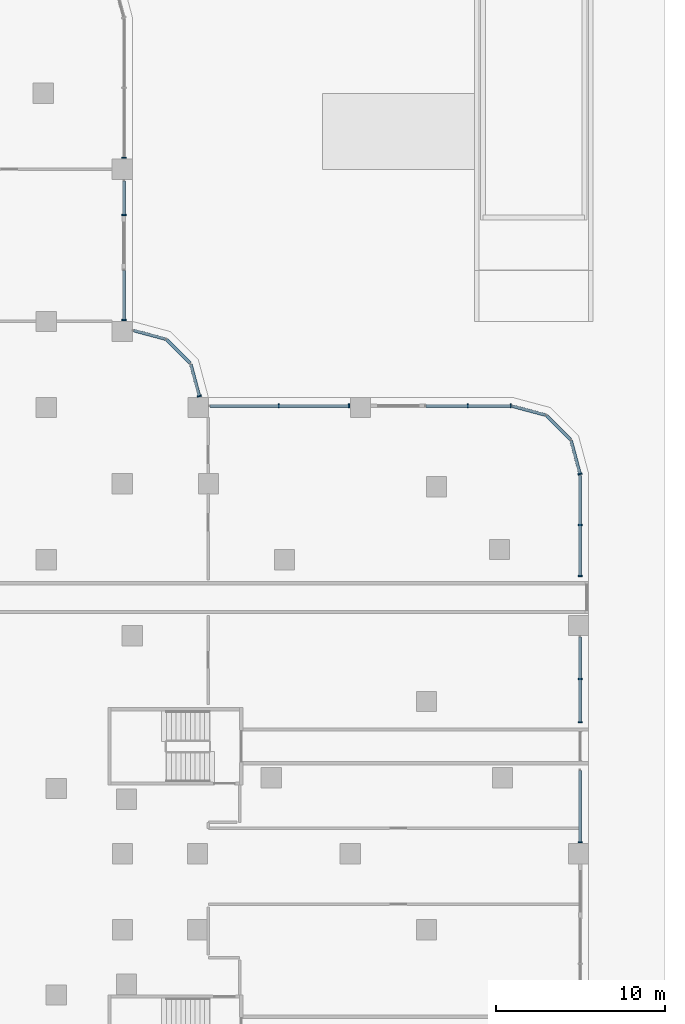
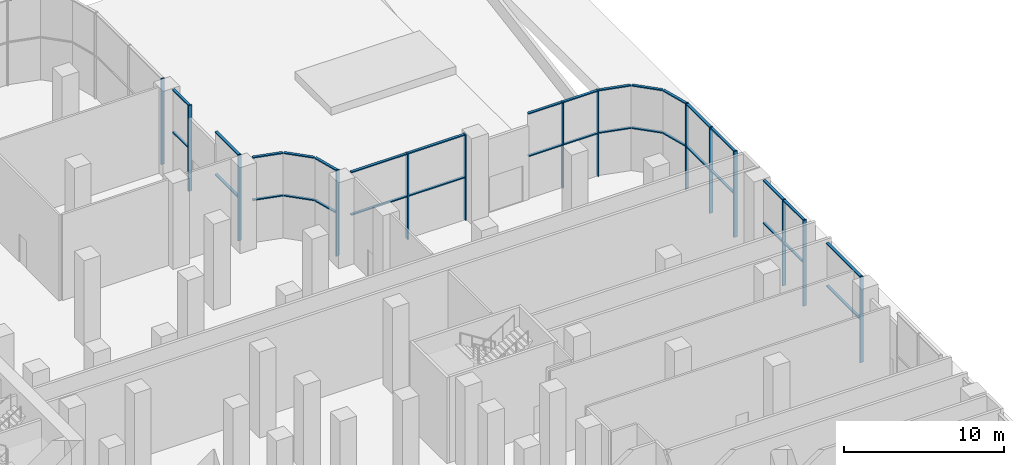
# One storey, part 9 of 34: 40 members, 9 elements without a shape of their own.
"""IFC4 building model written with IfcOpenShell, lengths in metres."""

import ifcopenshell
import ifcopenshell.guid

model = None  # the IFC model being written
_history = None  # IfcOwnerHistory: only IFC2X3 demands one
_inside = {}  # id of a spatial element -> (the spatial element, [elements in it])
_under = {}  # id of a project, library or spatial element -> (it, [spatial elements below it])
_declared = {}  # id of a project -> (the project, [libraries it declares])
_typed = {}  # id of a type object -> (the type object, [elements of that type])
_made_of = {}  # id of a material, layer set ... -> (it, [elements and type objects made of it])


def new_model(schema):
    """Start an empty IFC model of exactly this schema.

    Asked for "IFC4X3", IfcOpenShell would pick the latest addendum, in which some entities
    have other attributes; the version numbers below select the first issue.
    IFC2X3 requires an IfcOwnerHistory on every rooted entity: one is made here for all.
    """
    global model, _history
    if schema == "IFC4X3":
        model = ifcopenshell.file(schema_version=(4, 3, 0, 0))
    else:
        model = ifcopenshell.file(schema=schema)
    _inside.clear()
    _under.clear()
    _declared.clear()
    _typed.clear()
    _made_of.clear()
    _history = None
    if model.schema == "IFC2X3":
        org = make("IfcOrganization", Name="unknown")
        user = make(
            "IfcPersonAndOrganization",
            ThePerson=make("IfcPerson", FamilyName="unknown"),
            TheOrganization=org,
        )
        app = make(
            "IfcApplication",
            ApplicationDeveloper=org,
            Version="unknown",
            ApplicationFullName="unknown",
            ApplicationIdentifier="unknown",
        )
        _history = make(
            "IfcOwnerHistory",
            OwningUser=user,
            OwningApplication=app,
            ChangeAction="ADDED",
            CreationDate=0,
        )
    return model


def make(cls, **values):
    """One entity of the class cls with the attributes given. An attribute that is None is left unset."""
    return model.create_entity(
        cls, **{name: value for name, value in values.items() if value is not None}
    )


def rooted(cls, **values):
    """An entity with a GlobalId (a new one), such as an element, a storey or a relation."""
    return make(cls, GlobalId=ifcopenshell.guid.new(), OwnerHistory=_history, **values)


def si_unit(unit_type, name, prefix=None):
    """IfcSIUnit, for example si_unit("LENGTHUNIT", "METRE", prefix="MILLI")."""
    return make("IfcSIUnit", UnitType=unit_type, Prefix=prefix, Name=name)


def assignment(units):
    """IfcUnitAssignment: the units of a project."""
    return None if units is None else make("IfcUnitAssignment", Units=units)


def point(xyz):
    """IfcCartesianPoint."""
    return None if xyz is None else make("IfcCartesianPoint", Coordinates=xyz)


def direction(xyz):
    """IfcDirection."""
    return None if xyz is None else make("IfcDirection", DirectionRatios=xyz)


def frame(location, z_axis=None, x_axis=None):
    """IfcAxis2Placement3D, a coordinate frame: its origin and axes. An axis left out is left unset."""
    return make(
        "IfcAxis2Placement3D",
        Location=point(location),
        Axis=direction(z_axis),
        RefDirection=direction(x_axis),
    )


def origin():
    """The frame at (0, 0, 0) with its axes left unset."""
    return frame((0.0, 0.0, 0.0))


def place(relative_to, where):
    """IfcLocalPlacement: puts the frame where relative to a parent placement (None: the world)."""
    return make(
        "IfcLocalPlacement", PlacementRelTo=relative_to, RelativePlacement=where
    )


def context(
    kind, dimensions, precision=None, world=None, true_north=None, identifier=None
):
    """IfcGeometricRepresentationContext, for example the 3D "Model" context."""
    return make(
        "IfcGeometricRepresentationContext",
        ContextIdentifier=identifier,
        ContextType=kind,
        CoordinateSpaceDimension=dimensions,
        Precision=precision,
        WorldCoordinateSystem=world,
        TrueNorth=true_north,
    )


def subcontext(parent, identifier, kind, view, scale=None):
    """IfcGeometricRepresentationSubContext, for example "Body" below "Model"."""
    return make(
        "IfcGeometricRepresentationSubContext",
        ContextIdentifier=identifier,
        ContextType=kind,
        ParentContext=parent,
        TargetScale=scale,
        TargetView=view,
    )


def project(units=None, contexts=None):
    """IfcProject with its units and contexts."""
    return rooted(
        "IfcProject",
        Name="project",
        RepresentationContexts=contexts,
        UnitsInContext=assignment(units),
    )


def spatial(cls, under=None, at=None, **own):
    """A site, building, storey or space (cls), placed at a placement, below another one or the project."""
    s = rooted(cls, ObjectPlacement=at, **own)
    if under is not None:
        _under.setdefault(under.id(), (under, []))[1].append(s)
    return s


def polyline(points):
    """IfcPolyline through the points."""
    return make("IfcPolyline", Points=[point(p) for p in points])


def outline(outer, holes=None, kind="AREA"):
    """IfcArbitraryClosedProfileDef: a profile drawn as a closed curve; with holes, ...WithVoids."""
    if holes is None:
        return make("IfcArbitraryClosedProfileDef", ProfileType=kind, OuterCurve=outer)
    return make(
        "IfcArbitraryProfileDefWithVoids",
        ProfileType=kind,
        OuterCurve=outer,
        InnerCurves=holes,
    )


def extrude(swept, where, along, depth):
    """IfcExtrudedAreaSolid: the profile swept, set in the frame where, extruded along a direction by depth."""
    return make(
        "IfcExtrudedAreaSolid",
        SweptArea=swept,
        Position=where,
        ExtrudedDirection=direction(along),
        Depth=depth,
    )


def shape(context_of_items, identifier, shape_type, items):
    """IfcShapeRepresentation: the items that make up one representation, for example the "Body"."""
    return make(
        "IfcShapeRepresentation",
        ContextOfItems=context_of_items,
        RepresentationIdentifier=identifier,
        RepresentationType=shape_type,
        Items=items,
    )


def source(mapping_origin, context_of_items, identifier, shape_type, items):
    """IfcRepresentationMap: a shape defined once, which mapped items show again and again."""
    return make(
        "IfcRepresentationMap",
        MappingOrigin=mapping_origin,
        MappedRepresentation=shape(context_of_items, identifier, shape_type, items),
    )


def transform(
    local_origin,
    x_axis=None,
    y_axis=None,
    z_axis=None,
    scale=None,
    scale2=None,
    scale3=None,
    uniform=True,
):
    """IfcCartesianTransformationOperator3D, or its non-uniform kind. x_axis, y_axis, z_axis: its Axis1, 2, 3."""
    if uniform:
        return make(
            "IfcCartesianTransformationOperator3D",
            Axis1=direction(x_axis),
            Axis2=direction(y_axis),
            LocalOrigin=point(local_origin),
            Scale=scale,
            Axis3=direction(z_axis),
        )
    return make(
        "IfcCartesianTransformationOperator3DnonUniform",
        Axis1=direction(x_axis),
        Axis2=direction(y_axis),
        LocalOrigin=point(local_origin),
        Scale=scale,
        Axis3=direction(z_axis),
        Scale2=scale2,
        Scale3=scale3,
    )


def mapped(mapping_source, mapping_target):
    """IfcMappedItem: shows the shape of a source again, moved by a transform."""
    return make(
        "IfcMappedItem", MappingSource=mapping_source, MappingTarget=mapping_target
    )


def material(Name=None, Category=None):
    """IfcMaterial."""
    return make("IfcMaterial", Name=Name, Category=Category)


def made_of(thing, what):
    """Note that an element or type object is made of a material, layer set ...; save() writes the relation."""
    if what is not None:
        _made_of.setdefault(what.id(), (what, []))[1].append(thing)
    return thing


def type_object(cls, material=None, **own):
    """A type object (cls), such as IfcWallType, which elements share."""
    return made_of(rooted(cls, **own), material)


def element(
    cls,
    number,
    at=None,
    inside=None,
    cuts=None,
    type_object=None,
    material=None,
    context=None,
    identifier="Body",
    shape_type=None,
    held_by="IfcProductDefinitionShape",
    body=None,
    shapes=None,
    **own,
):
    """One element of the class cls, such as IfcWall. Its Tag is "e" and its number.

    at: its placement. inside: the storey or other place that contains it. cuts: it is an
    opening in that element (IfcRelVoidsElement). A single representation is given by context,
    identifier, shape_type and body (its items); several are given by shapes. held_by: the class
    of the entity that holds the representations. save() writes the other relations.
    """
    e = rooted(cls, Tag="e%d" % number, ObjectPlacement=at, **own)
    if body is not None:
        shapes = [shape(context, identifier, shape_type, body)]
    if shapes is not None:
        e.Representation = make(held_by, Representations=shapes)
    if inside is not None:
        _inside.setdefault(inside.id(), (inside, []))[1].append(e)
    if cuts is not None:
        rooted(
            "IfcRelVoidsElement", RelatingBuildingElement=cuts, RelatedOpeningElement=e
        )
    if type_object is not None:
        _typed.setdefault(type_object.id(), (type_object, []))[1].append(e)
    return made_of(e, material)


def aggregate(whole, parts):
    """IfcRelAggregates: a whole, such as a stair, and the parts it consists of."""
    return rooted("IfcRelAggregates", RelatingObject=whole, RelatedObjects=parts)


def save(model, path):
    """Write the relations noted so far, then the file.

    IfcRelAggregates (storeys below a building ...), IfcRelContainedInSpatialStructure (elements
    in a storey), IfcRelDefinesByType, IfcRelAssociatesMaterial and IfcRelDeclares: one each for
    every whole, place, type object, material and project.
    """
    for whole, parts in _under.values():
        aggregate(whole, parts)
    for where, things in _inside.values():
        rooted(
            "IfcRelContainedInSpatialStructure",
            RelatedElements=things,
            RelatingStructure=where,
        )
    for kind, things in _typed.values():
        rooted("IfcRelDefinesByType", RelatedObjects=things, RelatingType=kind)
    for what, things in _made_of.values():
        rooted("IfcRelAssociatesMaterial", RelatedObjects=things, RelatingMaterial=what)
    for by, libraries in _declared.values():
        rooted("IfcRelDeclares", RelatingContext=by, RelatedDefinitions=libraries)
    model.write(path)


model = new_model("IFC4")

# Units and contexts
model_context = context("Model", 3, precision=1e-05, world=origin(), true_north=direction((0.0, 1.0)))
body_context = subcontext(model_context, "Body", "Model", "MODEL_VIEW")
ifc_project = project(units=[si_unit("LENGTHUNIT", "METRE"), si_unit("AREAUNIT", "SQUARE_METRE"), si_unit("VOLUMEUNIT", "CUBIC_METRE"), si_unit("PLANEANGLEUNIT", "RADIAN"), si_unit("MASSUNIT", "GRAM", prefix="KILO")], contexts=[model_context])

# Site, building, storey
site_placement = place(None, origin())
site = spatial("IfcSite", under=ifc_project, at=site_placement, CompositionType="ELEMENT")
building_placement = place(site_placement, origin())
building = spatial("IfcBuilding", under=site, at=building_placement, Name="Zarbagh Exchange Tower", CompositionType="ELEMENT")
storey_placement = place(building_placement, origin())
storey = spatial("IfcBuildingStorey", under=building, at=storey_placement, Name="L00", CompositionType="ELEMENT", Elevation=0.0)

# Curtain wall, members
ifc_material_1 = material(Name="Anodised aluminium frame and glazing", Category="aluminium")
curtain_wall_type = type_object("IfcCurtainWallType", Name="CWC Podium garden-wall glazing", PredefinedType="NOTDEFINED", material=ifc_material_1)
curtain_wall_1_placement = place(storey_placement, origin())
curtain_wall_1 = element("IfcCurtainWall", 1, at=curtain_wall_1_placement, inside=storey, type_object=curtain_wall_type, Name="CWC13 curtain wall", PredefinedType="NOTDEFINED")
ifc_material_2 = material(Name="Anodised aluminium frame", Category="aluminium")
member_type_1 = type_object("IfcMemberType", Name="MUC Mullion, anodised aluminium frame", PredefinedType="MULLION", material=ifc_material_2)
shared_shape_1 = source(origin(), body_context, "Body", "SweptSolid", [
    extrude(outline(polyline([(0.0, -0.125), (0.080078125, -0.125), (0.080078125, 0.125), (0.0, 0.125), (0.0, -0.125)])), origin(), (0.0, 0.0, 1.0), 6.550048828125),
])
placement = place(storey_placement, origin())
member_1 = element("IfcMember", 2, at=placement, type_object=member_type_1, Name="CWC13 mullion 4.1", PredefinedType="MULLION", context=body_context, shape_type="MappedRepresentation", body=[
    mapped(shared_shape_1, transform((55.75, 2.89013671875, 0.0), x_axis=(0.0, 1.0, 0.0), y_axis=(-1.0, 0.0, 0.0), z_axis=(0.0, 0.0, 1.0))),
])
member_2 = element("IfcMember", 3, at=placement, type_object=member_type_1, Name="CWC13 mullion 5.1", PredefinedType="MULLION", context=body_context, shape_type="MappedRepresentation", body=[
    mapped(shared_shape_1, transform((55.75, 9.989990234375, 0.0), x_axis=(0.0, 1.0, 0.0), y_axis=(-1.0, 0.0, 0.0), z_axis=(0.0, 0.0, 1.0))),
])
member_3 = element("IfcMember", 4, at=placement, type_object=member_type_1, Name="CWC13 mullion 5.2", PredefinedType="MULLION", context=body_context, shape_type="MappedRepresentation", body=[
    mapped(shared_shape_1, transform((55.75, 12.550048828125, 0.0), x_axis=(0.0, 1.0, 0.0), y_axis=(-1.0, 0.0, 0.0), z_axis=(0.0, 0.0, 1.0))),
])
member_4 = element("IfcMember", 5, at=placement, type_object=member_type_1, Name="CWC13 mullion 6.1", PredefinedType="MULLION", context=body_context, shape_type="MappedRepresentation", body=[
    mapped(shared_shape_1, transform((55.75, 18.64013671875, 0.0), x_axis=(0.0, 1.0, 0.0), y_axis=(-1.0, 0.0, 0.0), z_axis=(0.0, 0.0, 1.0))),
])
member_5 = element("IfcMember", 6, at=placement, type_object=member_type_1, Name="CWC13 mullion 6.2", PredefinedType="MULLION", context=body_context, shape_type="MappedRepresentation", body=[
    mapped(shared_shape_1, transform((55.75, 21.662109375, 0.0), x_axis=(0.0, 1.0, 0.0), y_axis=(-1.0, 0.0, 0.0), z_axis=(0.0, 0.0, 1.0))),
])

# Curtain wall, member
curtain_wall_2_placement = place(storey_placement, origin())
curtain_wall_2 = element("IfcCurtainWall", 7, at=curtain_wall_2_placement, inside=storey, type_object=curtain_wall_type, Name="CWC14 curtain wall", PredefinedType="NOTDEFINED")
member_6 = element("IfcMember", 8, at=placement, type_object=member_type_1, Name="CWC14 mullion 1.1", PredefinedType="MULLION", context=body_context, shape_type="MappedRepresentation", body=[
    mapped(shared_shape_1, transform((55.75, 24.68408203125, 0.0), x_axis=(-0.258824779902, 0.965924289636, 0.0), y_axis=(-0.965924289636, -0.258824779902, 0.0), z_axis=(0.0, 0.0, 1.0))),
])

# Curtain wall, members
curtain_wall_3_placement = place(storey_placement, origin())
curtain_wall_3 = element("IfcCurtainWall", 9, at=curtain_wall_3_placement, inside=storey, type_object=curtain_wall_type, Name="CWC17 curtain wall", PredefinedType="NOTDEFINED")
member_7 = element("IfcMember", 10, at=placement, type_object=member_type_1, Name="CWC17 mullion 1.1", PredefinedType="MULLION", context=body_context, shape_type="MappedRepresentation", body=[
    mapped(shared_shape_1, transform((51.68408203125, 28.75, 0.0), x_axis=(-1.0, 0.0, 0.0), y_axis=(0.0, -1.0, 0.0), z_axis=(0.0, 0.0, 1.0))),
])
member_8 = element("IfcMember", 11, at=placement, type_object=member_type_1, Name="CWC17 mullion 1.2", PredefinedType="MULLION", context=body_context, shape_type="MappedRepresentation", body=[
    mapped(shared_shape_1, transform((49.136962890625, 28.75, 0.0), x_axis=(-1.0, 0.0, 0.0), y_axis=(0.0, -1.0, 0.0), z_axis=(0.0, 0.0, 1.0))),
])
member_9 = element("IfcMember", 12, at=placement, type_object=member_type_1, Name="CWC17 mullion 2.1", PredefinedType="MULLION", context=body_context, shape_type="MappedRepresentation", body=[
    mapped(shared_shape_1, transform((42.10986328125, 28.75, 0.0), x_axis=(-1.0, 0.0, 0.0), y_axis=(0.0, -1.0, 0.0), z_axis=(0.0, 0.0, 1.0))),
])
member_10 = element("IfcMember", 13, at=placement, type_object=member_type_1, Name="CWC17 mullion 2.2", PredefinedType="MULLION", context=body_context, shape_type="MappedRepresentation", body=[
    mapped(shared_shape_1, transform((37.949951171875, 28.75, 0.0), x_axis=(-1.0, 0.0, 0.0), y_axis=(0.0, -1.0, 0.0), z_axis=(0.0, 0.0, 1.0))),
])

# Curtain wall, member
curtain_wall_4_placement = place(storey_placement, origin())
curtain_wall_4 = element("IfcCurtainWall", 14, at=curtain_wall_4_placement, inside=storey, type_object=curtain_wall_type, Name="CWC18 curtain wall", PredefinedType="NOTDEFINED")
member_11 = element("IfcMember", 15, at=placement, type_object=member_type_1, Name="CWC18 mullion 1.1", PredefinedType="MULLION", context=body_context, shape_type="MappedRepresentation", body=[
    mapped(shared_shape_1, transform((33.2216796875, 29.2900390625, 0.0), x_axis=(-0.258824779902, 0.965924289636, 0.0), y_axis=(-0.965924289636, -0.258824779902, 0.0), z_axis=(0.0, 0.0, 1.0))),
])

# Curtain wall, members
curtain_wall_5_placement = place(storey_placement, origin())
curtain_wall_5 = element("IfcCurtainWall", 16, at=curtain_wall_5_placement, inside=storey, type_object=curtain_wall_type, Name="CWC21 curtain wall", PredefinedType="NOTDEFINED")
member_12 = element("IfcMember", 17, at=placement, type_object=member_type_1, Name="CWC21 mullion 1.1", PredefinedType="MULLION", context=body_context, shape_type="MappedRepresentation", body=[
    mapped(shared_shape_1, transform((28.75, 33.7900390625, 0.0), x_axis=(0.0, 1.0, 0.0), y_axis=(-1.0, 0.0, 0.0), z_axis=(0.0, 0.0, 1.0))),
])
member_13 = element("IfcMember", 18, at=placement, type_object=member_type_1, Name="CWC21 mullion 2.1", PredefinedType="MULLION", context=body_context, shape_type="MappedRepresentation", body=[
    mapped(shared_shape_1, transform((28.75, 40.0, 0.0), x_axis=(0.0, 1.0, 0.0), y_axis=(-1.0, 0.0, 0.0), z_axis=(0.0, 0.0, 1.0))),
])
member_14 = element("IfcMember", 19, at=placement, type_object=member_type_1, Name="CWC21 mullion 3.1", PredefinedType="MULLION", context=body_context, shape_type="MappedRepresentation", body=[
    mapped(shared_shape_1, transform((28.75, 43.39013671875, 0.0), x_axis=(0.0, 1.0, 0.0), y_axis=(-1.0, 0.0, 0.0), z_axis=(0.0, 0.0, 1.0))),
])
member_type_2 = type_object("IfcMemberType", Name="TRC Transom, anodised aluminium frame", PredefinedType="USERDEFINED", material=ifc_material_2)
shared_shape_2 = source(origin(), body_context, "Body", "SweptSolid", [
    extrude(outline(polyline([(-0.080078125, -0.090087890625), (0.0, -0.090087890625), (0.0, 0.090087890625), (-0.080078125, 0.090087890625), (-0.080078125, -0.090087890625)])), origin(), (0.0, 0.0, 1.0), 2.030029296875),
])
member_15 = element("IfcMember", 20, at=placement, type_object=member_type_2, Name="CWC21 transom 2.1", ObjectType="TRANSOM", PredefinedType="USERDEFINED", context=body_context, shape_type="MappedRepresentation", body=[
    mapped(shared_shape_2, transform((28.75, 40.0400390625, 6.550048828125), x_axis=(0.0, 0.0, 1.0), y_axis=(1.0, 0.0, 0.0), z_axis=(0.0, 1.0, 0.0))),
])
shared_shape_3 = source(origin(), body_context, "Body", "SweptSolid", [
    extrude(outline(polyline([(-0.0400390625, -0.090087890625), (0.0400390625, -0.090087890625), (0.0400390625, 0.090087890625), (-0.0400390625, 0.090087890625), (-0.0400390625, -0.090087890625)])), origin(), (0.0, 0.0, 1.0), 2.030029296875),
])
member_16 = element("IfcMember", 21, at=placement, type_object=member_type_2, Name="CWC21 mid transom 2", ObjectType="TRANSOM", PredefinedType="USERDEFINED", context=body_context, shape_type="MappedRepresentation", body=[
    mapped(shared_shape_3, transform((28.75, 40.0400390625, 3.27490234375), x_axis=(0.0, 0.0, 1.0), y_axis=(1.0, 0.0, 0.0), z_axis=(0.0, 1.0, 0.0))),
])

# Member
shared_shape_4 = source(origin(), body_context, "Body", "SweptSolid", [
    extrude(outline(polyline([(-0.080078125, -0.090087890625), (0.0, -0.090087890625), (0.0, 0.090087890625), (-0.080078125, 0.090087890625), (-0.080078125, -0.090087890625)])), origin(), (0.0, 0.0, 1.0), 2.049560546875),
])
member_17 = element("IfcMember", 22, at=placement, type_object=member_type_2, Name="CWC14 transom 1.1", ObjectType="TRANSOM", PredefinedType="USERDEFINED", context=body_context, shape_type="MappedRepresentation", body=[
    mapped(shared_shape_4, transform((55.73974609375, 24.722900390625, 6.550048828125), x_axis=(0.0, 0.0, 1.0), y_axis=(0.965924289636, 0.258824779902, 0.0), z_axis=(-0.258824779902, 0.965924289636, 0.0))),
])

# Curtain wall, member
curtain_wall_6_placement = place(storey_placement, origin())
curtain_wall_6 = element("IfcCurtainWall", 23, at=curtain_wall_6_placement, inside=storey, type_object=curtain_wall_type, Name="CWC16 curtain wall", PredefinedType="NOTDEFINED")
member_18 = element("IfcMember", 24, at=placement, type_object=member_type_2, Name="CWC16 transom 1.1", ObjectType="TRANSOM", PredefinedType="USERDEFINED", context=body_context, shape_type="MappedRepresentation", body=[
    mapped(shared_shape_4, transform((53.70263671875, 28.209228515625, 6.550048828125), x_axis=(0.0, 0.0, 1.0), y_axis=(0.258824779902, 0.965924289636, 0.0), z_axis=(-0.965924289636, 0.258824779902, 0.0))),
])

# Member
shared_shape_5 = source(origin(), body_context, "Body", "SweptSolid", [
    extrude(outline(polyline([(-0.0400390625, -0.090087890625), (0.0400390625, -0.090087890625), (0.0400390625, 0.090087890625), (-0.0400390625, 0.090087890625), (-0.0400390625, -0.090087890625)])), origin(), (0.0, 0.0, 1.0), 2.049560546875),
])
member_19 = element("IfcMember", 25, at=placement, type_object=member_type_2, Name="CWC14 mid transom 1", ObjectType="TRANSOM", PredefinedType="USERDEFINED", context=body_context, shape_type="MappedRepresentation", body=[
    mapped(shared_shape_5, transform((55.73974609375, 24.722900390625, 3.27490234375), x_axis=(0.0, 0.0, 1.0), y_axis=(0.965924289636, 0.258824779902, 0.0), z_axis=(-0.258824779902, 0.965924289636, 0.0))),
])

aggregate(curtain_wall_2, [member_6, member_17, member_19])

member_20 = element("IfcMember", 26, at=placement, type_object=member_type_2, Name="CWC16 mid transom 1", ObjectType="TRANSOM", PredefinedType="USERDEFINED", context=body_context, shape_type="MappedRepresentation", body=[
    mapped(shared_shape_5, transform((53.70263671875, 28.209228515625, 3.27490234375), x_axis=(0.0, 0.0, 1.0), y_axis=(0.258824779902, 0.965924289636, 0.0), z_axis=(-0.965924289636, 0.258824779902, 0.0))),
])

aggregate(curtain_wall_6, [member_18, member_20])

# Curtain wall, member
curtain_wall_7_placement = place(storey_placement, origin())
curtain_wall_7 = element("IfcCurtainWall", 27, at=curtain_wall_7_placement, inside=storey, type_object=curtain_wall_type, Name="CWC15 curtain wall", PredefinedType="NOTDEFINED")
shared_shape_6 = source(origin(), body_context, "Body", "SweptSolid", [
    extrude(outline(polyline([(-0.080078125, -0.090087890625), (0.0, -0.090087890625), (0.0, 0.090087890625), (-0.080078125, 0.090087890625), (-0.080078125, -0.090087890625)])), origin(), (0.0, 0.0, 1.0), 1.9814453125),
])
member_21 = element("IfcMember", 28, at=placement, type_object=member_type_2, Name="CWC15 transom 1.1", ObjectType="TRANSOM", PredefinedType="USERDEFINED", context=body_context, shape_type="MappedRepresentation", body=[
    mapped(shared_shape_6, transform((55.17041015625, 26.76953125, 6.550048828125), x_axis=(0.0, 0.0, 1.0), y_axis=(0.707106781187, 0.707106781187, 0.0), z_axis=(-0.707106781187, 0.707106781187, 0.0))),
])

curtain_wall_8_placement = place(storey_placement, origin())
curtain_wall_8 = element("IfcCurtainWall", 29, at=curtain_wall_8_placement, inside=storey, type_object=curtain_wall_type, Name="CWC19 curtain wall", PredefinedType="NOTDEFINED")
member_22 = element("IfcMember", 30, at=placement, type_object=member_type_2, Name="CWC19 transom 1.1", ObjectType="TRANSOM", PredefinedType="USERDEFINED", context=body_context, shape_type="MappedRepresentation", body=[
    mapped(shared_shape_6, transform((32.67041015625, 31.26953125, 6.550048828125), x_axis=(0.0, 0.0, 1.0), y_axis=(0.707106781187, 0.707106781187, 0.0), z_axis=(-0.707106781187, 0.707106781187, 0.0))),
])

# Member
shared_shape_7 = source(origin(), body_context, "Body", "SweptSolid", [
    extrude(outline(polyline([(-0.0400390625, -0.090087890625), (0.0400390625, -0.090087890625), (0.0400390625, 0.090087890625), (-0.0400390625, 0.090087890625), (-0.0400390625, -0.090087890625)])), origin(), (0.0, 0.0, 1.0), 1.9814453125),
])
member_23 = element("IfcMember", 31, at=placement, type_object=member_type_2, Name="CWC15 mid transom 1", ObjectType="TRANSOM", PredefinedType="USERDEFINED", context=body_context, shape_type="MappedRepresentation", body=[
    mapped(shared_shape_7, transform((55.17041015625, 26.76953125, 3.27490234375), x_axis=(0.0, 0.0, 1.0), y_axis=(0.707106781187, 0.707106781187, 0.0), z_axis=(-0.707106781187, 0.707106781187, 0.0))),
])

aggregate(curtain_wall_7, [member_21, member_23])

member_24 = element("IfcMember", 32, at=placement, type_object=member_type_2, Name="CWC19 mid transom 1", ObjectType="TRANSOM", PredefinedType="USERDEFINED", context=body_context, shape_type="MappedRepresentation", body=[
    mapped(shared_shape_7, transform((32.67041015625, 31.26953125, 3.27490234375), x_axis=(0.0, 0.0, 1.0), y_axis=(0.707106781187, 0.707106781187, 0.0), z_axis=(-0.707106781187, 0.707106781187, 0.0))),
])

aggregate(curtain_wall_8, [member_22, member_24])

shared_shape_8 = source(origin(), body_context, "Body", "SweptSolid", [
    extrude(outline(polyline([(-0.080078125, -0.090087890625), (0.0, -0.090087890625), (0.0, 0.090087890625), (-0.080078125, 0.090087890625), (-0.080078125, -0.090087890625)])), origin(), (0.0, 0.0, 1.0), 1.93994140625),
])
member_25 = element("IfcMember", 33, at=placement, type_object=member_type_2, Name="CWC18 transom 1.1", ObjectType="TRANSOM", PredefinedType="USERDEFINED", context=body_context, shape_type="MappedRepresentation", body=[
    mapped(shared_shape_8, transform((33.211181640625, 29.32861328125, 6.550048828125), x_axis=(0.0, 0.0, 1.0), y_axis=(0.965924289636, 0.258824779902, 0.0), z_axis=(-0.258824779902, 0.965924289636, 0.0))),
])

# Curtain wall, member
curtain_wall_9_placement = place(storey_placement, origin())
curtain_wall_9 = element("IfcCurtainWall", 34, at=curtain_wall_9_placement, inside=storey, type_object=curtain_wall_type, Name="CWC20 curtain wall", PredefinedType="NOTDEFINED")
member_26 = element("IfcMember", 35, at=placement, type_object=member_type_2, Name="CWC20 transom 1.1", ObjectType="TRANSOM", PredefinedType="USERDEFINED", context=body_context, shape_type="MappedRepresentation", body=[
    mapped(shared_shape_8, transform((31.20263671875, 32.709228515625, 6.550048828125), x_axis=(0.0, 0.0, 1.0), y_axis=(0.258824779902, 0.965924289636, 0.0), z_axis=(-0.965924289636, 0.258824779902, 0.0))),
])

# Member
shared_shape_9 = source(origin(), body_context, "Body", "SweptSolid", [
    extrude(outline(polyline([(-0.0400390625, -0.090087890625), (0.0400390625, -0.090087890625), (0.0400390625, 0.090087890625), (-0.0400390625, 0.090087890625), (-0.0400390625, -0.090087890625)])), origin(), (0.0, 0.0, 1.0), 1.93994140625),
])
member_27 = element("IfcMember", 36, at=placement, type_object=member_type_2, Name="CWC18 mid transom 1", ObjectType="TRANSOM", PredefinedType="USERDEFINED", context=body_context, shape_type="MappedRepresentation", body=[
    mapped(shared_shape_9, transform((33.211181640625, 29.32861328125, 3.27490234375), x_axis=(0.0, 0.0, 1.0), y_axis=(0.965924289636, 0.258824779902, 0.0), z_axis=(-0.258824779902, 0.965924289636, 0.0))),
])

aggregate(curtain_wall_4, [member_11, member_25, member_27])

member_28 = element("IfcMember", 37, at=placement, type_object=member_type_2, Name="CWC20 mid transom 1", ObjectType="TRANSOM", PredefinedType="USERDEFINED", context=body_context, shape_type="MappedRepresentation", body=[
    mapped(shared_shape_9, transform((31.20263671875, 32.709228515625, 3.27490234375), x_axis=(0.0, 0.0, 1.0), y_axis=(0.258824779902, 0.965924289636, 0.0), z_axis=(-0.965924289636, 0.258824779902, 0.0))),
])

aggregate(curtain_wall_9, [member_26, member_28])

shared_shape_10 = source(origin(), body_context, "Body", "SweptSolid", [
    extrude(outline(polyline([(-0.080078125, -0.090087890625), (0.0, -0.090087890625), (0.0, 0.090087890625), (-0.080078125, 0.090087890625), (-0.080078125, -0.090087890625)])), origin(), (0.0, 0.0, 1.0), 4.239990234375),
])
member_29 = element("IfcMember", 38, at=placement, type_object=member_type_2, Name="CWC13 transom 4.1", ObjectType="TRANSOM", PredefinedType="USERDEFINED", context=body_context, shape_type="MappedRepresentation", body=[
    mapped(shared_shape_10, transform((55.75, 2.929931640625, 6.550048828125), x_axis=(0.0, 0.0, 1.0), y_axis=(1.0, 0.0, 0.0), z_axis=(0.0, 1.0, 0.0))),
])

shared_shape_11 = source(origin(), body_context, "Body", "SweptSolid", [
    extrude(outline(polyline([(-0.0400390625, -0.090087890625), (0.0400390625, -0.090087890625), (0.0400390625, 0.090087890625), (-0.0400390625, 0.090087890625), (-0.0400390625, -0.090087890625)])), origin(), (0.0, 0.0, 1.0), 4.239990234375),
])
member_30 = element("IfcMember", 39, at=placement, type_object=member_type_2, Name="CWC13 mid transom 4", ObjectType="TRANSOM", PredefinedType="USERDEFINED", context=body_context, shape_type="MappedRepresentation", body=[
    mapped(shared_shape_11, transform((55.75, 2.929931640625, 3.27490234375), x_axis=(0.0, 0.0, 1.0), y_axis=(1.0, 0.0, 0.0), z_axis=(0.0, 1.0, 0.0))),
])

shared_shape_12 = source(origin(), body_context, "Body", "SweptSolid", [
    extrude(outline(polyline([(-0.080078125, -0.090087890625), (0.0, -0.090087890625), (0.0, 0.090087890625), (-0.080078125, 0.090087890625), (-0.080078125, -0.090087890625)])), origin(), (0.0, 0.0, 1.0), 5.0400390625),
])
member_31 = element("IfcMember", 40, at=placement, type_object=member_type_2, Name="CWC13 transom 5.1", ObjectType="TRANSOM", PredefinedType="USERDEFINED", context=body_context, shape_type="MappedRepresentation", body=[
    mapped(shared_shape_12, transform((55.75, 10.030029296875, 6.550048828125), x_axis=(0.0, 0.0, 1.0), y_axis=(1.0, 0.0, 0.0), z_axis=(0.0, 1.0, 0.0))),
])

shared_shape_13 = source(origin(), body_context, "Body", "SweptSolid", [
    extrude(outline(polyline([(-0.0400390625, -0.090087890625), (0.0400390625, -0.090087890625), (0.0400390625, 0.090087890625), (-0.0400390625, 0.090087890625), (-0.0400390625, -0.090087890625)])), origin(), (0.0, 0.0, 1.0), 5.0400390625),
])
member_32 = element("IfcMember", 41, at=placement, type_object=member_type_2, Name="CWC13 mid transom 5", ObjectType="TRANSOM", PredefinedType="USERDEFINED", context=body_context, shape_type="MappedRepresentation", body=[
    mapped(shared_shape_13, transform((55.75, 10.030029296875, 3.27490234375), x_axis=(0.0, 0.0, 1.0), y_axis=(1.0, 0.0, 0.0), z_axis=(0.0, 1.0, 0.0))),
])

shared_shape_14 = source(origin(), body_context, "Body", "SweptSolid", [
    extrude(outline(polyline([(-0.080078125, -0.090087890625), (0.0, -0.090087890625), (0.0, 0.090087890625), (-0.080078125, 0.090087890625), (-0.080078125, -0.090087890625)])), origin(), (0.0, 0.0, 1.0), 5.964111328125),
])
member_33 = element("IfcMember", 42, at=placement, type_object=member_type_2, Name="CWC13 transom 6.1", ObjectType="TRANSOM", PredefinedType="USERDEFINED", context=body_context, shape_type="MappedRepresentation", body=[
    mapped(shared_shape_14, transform((55.75, 18.679931640625, 6.550048828125), x_axis=(0.0, 0.0, 1.0), y_axis=(1.0, 0.0, 0.0), z_axis=(0.0, 1.0, 0.0))),
])

shared_shape_15 = source(origin(), body_context, "Body", "SweptSolid", [
    extrude(outline(polyline([(-0.0400390625, -0.090087890625), (0.0400390625, -0.090087890625), (0.0400390625, 0.090087890625), (-0.0400390625, 0.090087890625), (-0.0400390625, -0.090087890625)])), origin(), (0.0, 0.0, 1.0), 5.964111328125),
])
member_34 = element("IfcMember", 43, at=placement, type_object=member_type_2, Name="CWC13 mid transom 6", ObjectType="TRANSOM", PredefinedType="USERDEFINED", context=body_context, shape_type="MappedRepresentation", body=[
    mapped(shared_shape_15, transform((55.75, 18.679931640625, 3.27490234375), x_axis=(0.0, 0.0, 1.0), y_axis=(1.0, 0.0, 0.0), z_axis=(0.0, 1.0, 0.0))),
])

aggregate(curtain_wall_1, [member_1, member_29, member_30, member_2, member_31, member_32, member_3, member_4, member_33, member_34, member_5])

shared_shape_16 = source(origin(), body_context, "Body", "SweptSolid", [
    extrude(outline(polyline([(-0.080078125, -0.090087890625), (0.0, -0.090087890625), (0.0, 0.090087890625), (-0.080078125, 0.090087890625), (-0.080078125, -0.090087890625)])), origin(), (0.0, 0.0, 1.0), 5.01416015625),
])
member_35 = element("IfcMember", 44, at=placement, type_object=member_type_2, Name="CWC17 transom 1.1", ObjectType="TRANSOM", PredefinedType="USERDEFINED", context=body_context, shape_type="MappedRepresentation", body=[
    mapped(shared_shape_16, transform((51.644287109375, 28.75, 6.550048828125), x_axis=(0.0, 0.0, 1.0), y_axis=(0.0, 1.0, 0.0), z_axis=(-1.0, 0.0, 0.0))),
])

shared_shape_17 = source(origin(), body_context, "Body", "SweptSolid", [
    extrude(outline(polyline([(-0.0400390625, -0.090087890625), (0.0400390625, -0.090087890625), (0.0400390625, 0.090087890625), (-0.0400390625, 0.090087890625), (-0.0400390625, -0.090087890625)])), origin(), (0.0, 0.0, 1.0), 5.01416015625),
])
member_36 = element("IfcMember", 45, at=placement, type_object=member_type_2, Name="CWC17 mid transom 1", ObjectType="TRANSOM", PredefinedType="USERDEFINED", context=body_context, shape_type="MappedRepresentation", body=[
    mapped(shared_shape_17, transform((51.644287109375, 28.75, 3.27490234375), x_axis=(0.0, 0.0, 1.0), y_axis=(0.0, 1.0, 0.0), z_axis=(-1.0, 0.0, 0.0))),
])

shared_shape_18 = source(origin(), body_context, "Body", "SweptSolid", [
    extrude(outline(polyline([(-0.080078125, -0.090087890625), (0.0, -0.090087890625), (0.0, 0.090087890625), (-0.080078125, 0.090087890625), (-0.080078125, -0.090087890625)])), origin(), (0.0, 0.0, 1.0), 8.239990234375),
])
member_37 = element("IfcMember", 46, at=placement, type_object=member_type_2, Name="CWC17 transom 2.1", ObjectType="TRANSOM", PredefinedType="USERDEFINED", context=body_context, shape_type="MappedRepresentation", body=[
    mapped(shared_shape_18, transform((42.070068359375, 28.75, 6.550048828125), x_axis=(0.0, 0.0, 1.0), y_axis=(0.0, 1.0, 0.0), z_axis=(-1.0, 0.0, 0.0))),
])

shared_shape_19 = source(origin(), body_context, "Body", "SweptSolid", [
    extrude(outline(polyline([(-0.0400390625, -0.090087890625), (0.0400390625, -0.090087890625), (0.0400390625, 0.090087890625), (-0.0400390625, 0.090087890625), (-0.0400390625, -0.090087890625)])), origin(), (0.0, 0.0, 1.0), 8.239990234375),
])
member_38 = element("IfcMember", 47, at=placement, type_object=member_type_2, Name="CWC17 mid transom 2", ObjectType="TRANSOM", PredefinedType="USERDEFINED", context=body_context, shape_type="MappedRepresentation", body=[
    mapped(shared_shape_19, transform((42.070068359375, 28.75, 3.27490234375), x_axis=(0.0, 0.0, 1.0), y_axis=(0.0, 1.0, 0.0), z_axis=(-1.0, 0.0, 0.0))),
])

aggregate(curtain_wall_3, [member_7, member_35, member_36, member_8, member_9, member_37, member_38, member_10])

shared_shape_20 = source(origin(), body_context, "Body", "SweptSolid", [
    extrude(outline(polyline([(-0.080078125, -0.090087890625), (0.0, -0.090087890625), (0.0, 0.090087890625), (-0.080078125, 0.090087890625), (-0.080078125, -0.090087890625)])), origin(), (0.0, 0.0, 1.0), 2.929931640625),
])
member_39 = element("IfcMember", 48, at=placement, type_object=member_type_2, Name="CWC21 transom 1.1", ObjectType="TRANSOM", PredefinedType="USERDEFINED", context=body_context, shape_type="MappedRepresentation", body=[
    mapped(shared_shape_20, transform((28.75, 33.830078125, 6.550048828125), x_axis=(0.0, 0.0, 1.0), y_axis=(1.0, 0.0, 0.0), z_axis=(0.0, 1.0, 0.0))),
])

shared_shape_21 = source(origin(), body_context, "Body", "SweptSolid", [
    extrude(outline(polyline([(-0.0400390625, -0.090087890625), (0.0400390625, -0.090087890625), (0.0400390625, 0.090087890625), (-0.0400390625, 0.090087890625), (-0.0400390625, -0.090087890625)])), origin(), (0.0, 0.0, 1.0), 2.929931640625),
])
member_40 = element("IfcMember", 49, at=placement, type_object=member_type_2, Name="CWC21 mid transom 1", ObjectType="TRANSOM", PredefinedType="USERDEFINED", context=body_context, shape_type="MappedRepresentation", body=[
    mapped(shared_shape_21, transform((28.75, 33.830078125, 3.27490234375), x_axis=(0.0, 0.0, 1.0), y_axis=(1.0, 0.0, 0.0), z_axis=(0.0, 1.0, 0.0))),
])

aggregate(curtain_wall_5, [member_12, member_39, member_40, member_13, member_15, member_16, member_14])

save(model, "model.ifc")
